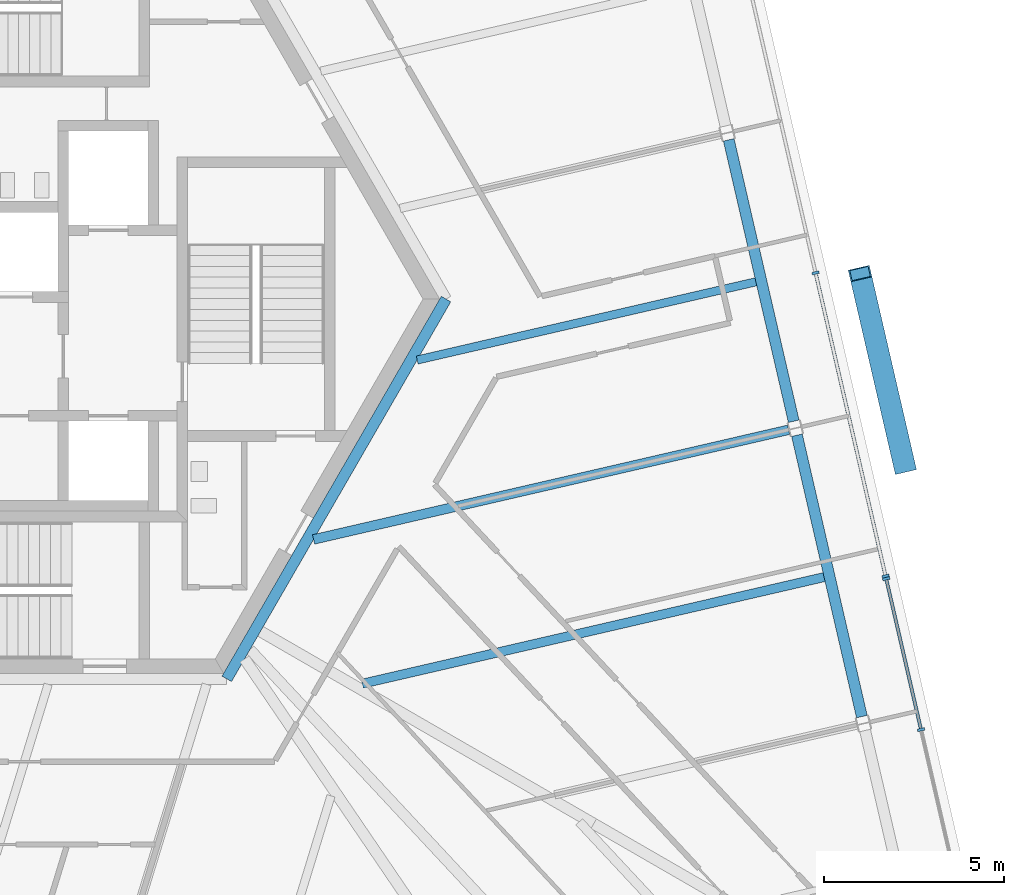
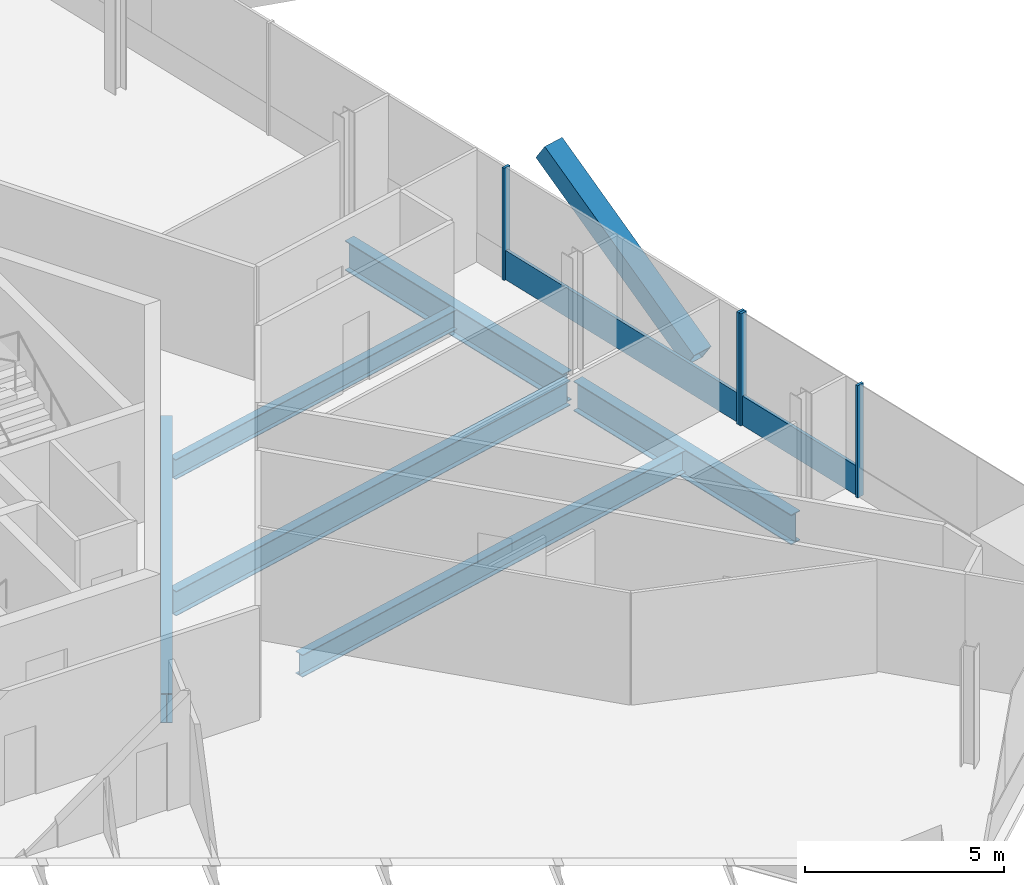
# One storey, part 6 of 19: 7 members, 6 beams, 2 elements without a shape of their own.
"""IFC4 building model written with IfcOpenShell, lengths in metres."""

from ifc_helpers import new_model, si_unit, direction, frame, origin, origin_2d, place, context, subcontext, project, spatial, rectangle, hollow_rectangle, i_section, extrude, source, transform, mapped, material, material_profile, profile_set, type_object, element, aggregate, save


model = new_model("IFC4")

# Units and contexts
model_context = context("Model", 3, precision=1e-05, world=origin(), true_north=direction((0.0, 1.0)))
body_context = subcontext(model_context, "Body", "Model", "MODEL_VIEW")
ifc_project = project(units=[si_unit("LENGTHUNIT", "METRE"), si_unit("AREAUNIT", "SQUARE_METRE"), si_unit("VOLUMEUNIT", "CUBIC_METRE"), si_unit("PLANEANGLEUNIT", "RADIAN"), si_unit("MASSUNIT", "GRAM", prefix="KILO")], contexts=[model_context])

# Site, building, storey
site_placement = place(None, origin())
site = spatial("IfcSite", under=ifc_project, at=site_placement, CompositionType="ELEMENT")
building_placement = place(site_placement, origin())
building = spatial("IfcBuilding", under=site, at=building_placement, Name="Triune Harvest Tower", CompositionType="ELEMENT")
storey_placement = place(building_placement, frame((0.0, 0.0, 109.10009765625)))
storey = spatial("IfcBuildingStorey", under=building, at=storey_placement, Name="L27", CompositionType="ELEMENT", Elevation=109.10009765625)

# Beams
ifc_material_1 = material(Name="Steel ASTM A992 Gr 50", Category="steel")
ifc_material_profile_1 = material_profile(ifc_material_1, i_section(OverallWidth=0.3046875, OverallDepth=0.914306640625, WebThickness=0.0166015625, FlangeThickness=0.02587890625, at=origin_2d()), Name="W36x160")
ifc_profile_set_1 = profile_set([ifc_material_profile_1], Name="Steel ASTM A992 Gr 50")
beam_type_1 = type_object("IfcBeamType", Name="CG-1 Core ring girder W36x160", PredefinedType="BEAM", material=ifc_profile_set_1)
shared_shape_1 = source(origin(), body_context, "Body", "SweptSolid", [
    extrude(i_section(OverallWidth=0.3046875, OverallDepth=0.914306640625, WebThickness=0.0166015625, FlangeThickness=0.02587890625, at=origin_2d()), origin(), (0.0, 0.0, 1.0), 12.176025390625),
])
beam_1_placement = place(storey_placement, frame((6.087890625, -10.544677734375, -0.6171875), z_axis=(0.5000099932, 0.866019634131, 0.0), x_axis=(-0.866019634131, 0.5000099932, 0.0)))
element("IfcBeam", 1, at=beam_1_placement, inside=storey, type_object=beam_type_1, Name="beam/L27/CG6", PredefinedType="BEAM", context=body_context, shape_type="MappedRepresentation", body=[
    mapped(shared_shape_1, transform((0.0, 0.0, 0.0), scale=1.0)),
])
ifc_material_2 = material(Name="Steel ASTM A992 Gr 50", Category="steel")
ifc_material_profile_2 = material_profile(ifc_material_2, i_section(OverallWidth=0.3046875, OverallDepth=0.914306640625, WebThickness=0.0166015625, FlangeThickness=0.02587890625, at=origin_2d()), Name="W36x160")
ifc_profile_set_2 = profile_set([ifc_material_profile_2], Name="Steel ASTM A992 Gr 50")
beam_type_2 = type_object("IfcBeamType", Name="SB-1 Spandrel beam W36x160", PredefinedType="SPANDREL", material=ifc_profile_set_2)
shared_shape_2 = source(origin(), body_context, "Body", "SweptSolid", [
    extrude(i_section(OverallWidth=0.3046875, OverallDepth=0.914306640625, WebThickness=0.0166015625, FlangeThickness=0.02587890625, at=origin_2d()), origin(), (0.0, 0.0, 1.0), 8.018310546875),
])
beam_2_placement = place(storey_placement, frame((23.72119140625, -11.591796875, -0.6171875), z_axis=(-0.224950679005, 0.974370151439, 0.0), x_axis=(-0.974370151439, -0.224950679005, 0.0)))
element("IfcBeam", 2, at=beam_2_placement, inside=storey, type_object=beam_type_2, Name="beam/L27/SB2", PredefinedType="SPANDREL", context=body_context, shape_type="MappedRepresentation", body=[
    mapped(shared_shape_2, transform((0.0, 0.0, 0.0), scale=1.0)),
])
shared_shape_3 = source(origin(), body_context, "Body", "SweptSolid", [
    extrude(i_section(OverallWidth=0.3046875, OverallDepth=0.914306640625, WebThickness=0.0166015625, FlangeThickness=0.02587890625, at=origin_2d()), origin(), (0.0, 0.0, 1.0), 8.0185546875),
])
beam_3_placement = place(storey_placement, frame((21.828369140625, -3.39306640625, -0.6171875), z_axis=(-0.22494400542, 0.974371692131, 0.0), x_axis=(-0.974371692131, -0.22494400542, 0.0)))
element("IfcBeam", 3, at=beam_3_placement, inside=storey, type_object=beam_type_2, Name="beam/L27/SB3", PredefinedType="SPANDREL", context=body_context, shape_type="MappedRepresentation", body=[
    mapped(shared_shape_3, transform((0.0, 0.0, 0.0), scale=1.0)),
])
ifc_material_3 = material(Name="Steel ASTM A992 Gr 50", Category="steel")
ifc_material_profile_3 = material_profile(ifc_material_3, i_section(OverallWidth=0.253662109375, OverallDepth=0.683349609375, WebThickness=0.012451171875, FlangeThickness=0.01904296875, at=origin_2d()), Name="W27x94")
ifc_profile_set_3 = profile_set([ifc_material_profile_3], Name="Steel ASTM A992 Gr 50")
beam_type_3 = type_object("IfcBeamType", Name="JT-4 Floor joist W27x94", PredefinedType="JOIST", material=ifc_profile_set_3)
shared_shape_4 = source(origin(), body_context, "Body", "SweptSolid", [
    extrude(i_section(OverallWidth=0.253662109375, OverallDepth=0.683349609375, WebThickness=0.012451171875, FlangeThickness=0.01904296875, at=origin_2d()), origin(), (0.0, 0.0, 1.0), 13.1572265625),
])
beam_4_placement = place(storey_placement, frame((22.6708984375, -7.7197265625, -0.501708984375), z_axis=(-0.974370551145, -0.224948947678, 0.0), x_axis=(0.224948947678, -0.974370551145, 0.0)))
element("IfcBeam", 4, at=beam_4_placement, inside=storey, type_object=beam_type_3, Name="beam/L27/JT3", PredefinedType="JOIST", context=body_context, shape_type="MappedRepresentation", body=[
    mapped(shared_shape_4, transform((0.0, 0.0, 0.0), scale=1.0)),
])
ifc_material_4 = material(Name="Steel ASTM A992 Gr 50", Category="steel")
ifc_material_profile_4 = material_profile(ifc_material_4, i_section(OverallWidth=0.2666015625, OverallDepth=0.7568359375, WebThickness=0.013916015625, FlangeThickness=0.019287109375, at=origin_2d()), Name="W30x108")
ifc_profile_set_4 = profile_set([ifc_material_profile_4], Name="Steel ASTM A992 Gr 50")
beam_type_4 = type_object("IfcBeamType", Name="JT-5 Floor joist W30x108", PredefinedType="JOIST", material=ifc_profile_set_4)
shared_shape_5 = source(origin(), body_context, "Body", "SweptSolid", [
    extrude(i_section(OverallWidth=0.2666015625, OverallDepth=0.7568359375, WebThickness=0.013916015625, FlangeThickness=0.019287109375, at=origin_2d()), origin(), (0.0, 0.0, 1.0), 13.535400390625),
])
beam_5_placement = place(storey_placement, frame((21.687255859375, -3.62890625, -0.53857421875), z_axis=(-0.974372040253, -0.224942497482, 0.0), x_axis=(0.224942497482, -0.974372040253, 0.0)))
element("IfcBeam", 5, at=beam_5_placement, inside=storey, type_object=beam_type_4, Name="beam/L27/JT4", PredefinedType="JOIST", context=body_context, shape_type="MappedRepresentation", body=[
    mapped(shared_shape_5, transform((0.0, 0.0, 0.0), scale=1.0)),
])
ifc_material_5 = material(Name="Steel ASTM A992 Gr 50", Category="steel")
ifc_material_profile_5 = material_profile(ifc_material_5, i_section(OverallWidth=0.22900390625, OverallDepth=0.612060546875, WebThickness=0.011962890625, FlangeThickness=0.01953125, at=origin_2d()), Name="W24x84")
ifc_profile_set_5 = profile_set([ifc_material_profile_5], Name="Steel ASTM A992 Gr 50")
beam_type_5 = type_object("IfcBeamType", Name="JT-3 Floor joist W24x84", PredefinedType="JOIST", material=ifc_profile_set_5)
shared_shape_6 = source(origin(), body_context, "Body", "SweptSolid", [
    extrude(i_section(OverallWidth=0.22900390625, OverallDepth=0.612060546875, WebThickness=0.011962890625, FlangeThickness=0.01953125, at=origin_2d()), origin(), (0.0, 0.0, 1.0), 9.650146484375),
])
beam_6_placement = place(storey_placement, frame((20.778076171875, 0.47900390625, -0.46630859375), z_axis=(-0.974373710713, -0.224935261514, 0.0), x_axis=(0.224935261514, -0.974373710713, 0.0)))
element("IfcBeam", 6, at=beam_6_placement, inside=storey, type_object=beam_type_5, Name="beam/L27/JT5", PredefinedType="JOIST", context=body_context, shape_type="MappedRepresentation", body=[
    mapped(shared_shape_6, transform((0.0, 0.0, 0.0), scale=1.0)),
])

# Member
ifc_material_6 = material(Name="Steel ASTM A572 Gr 50", Category="steel")
ifc_material_profile_6 = material_profile(ifc_material_6, hollow_rectangle(XDim=0.60009765625, YDim=0.60009765625, WallThickness=0.0400390625, at=origin_2d()), Name="Box 600x600x40")
ifc_profile_set_6 = profile_set([ifc_material_profile_6], Name="Steel ASTM A572 Gr 50")
member_type_1 = type_object("IfcMemberType", Name="BR-2 Brace Box 600x600x40", PredefinedType="BRACE", material=ifc_profile_set_6)
shared_shape_7 = source(origin(), body_context, "Body", "SweptSolid", [
    extrude(hollow_rectangle(XDim=0.60009765625, YDim=0.60009765625, WallThickness=0.0400390625, at=origin_2d()), origin(), (0.0, 0.0, 1.0), 6.56640625),
])
member_1_placement = place(storey_placement, frame((24.906982421875, -4.642333984375, 0.0), z_axis=(-0.188134834296, 0.814891534243, 0.548230856067), x_axis=(-0.974369462042, -0.224953665097, 0.0)))
element("IfcMember", 7, at=member_1_placement, inside=storey, type_object=member_type_1, Name="brace/B3-F1/d1/4", PredefinedType="BRACE", context=body_context, shape_type="MappedRepresentation", body=[
    mapped(shared_shape_7, transform((0.0, 0.0, 0.0), scale=1.0)),
])

# Curtain wall, members
ifc_material_7 = material(Name="Aluminium bronze anodised", Category="aluminium")
curtain_wall_type_1 = type_object("IfcCurtainWallType", Name="CW-1 Tower stick curtain wall", PredefinedType="NOTDEFINED", material=ifc_material_7)
curtain_wall_1_placement = place(storey_placement, origin())
curtain_wall_1 = element("IfcCurtainWall", 8, at=curtain_wall_1_placement, inside=storey, type_object=curtain_wall_type_1, Name="CW-1 B3-F1 L27 run 1")
ifc_material_8 = material(Name="Aluminium bronze anodised", Category="aluminium")
ifc_material_profile_7 = material_profile(ifc_material_8, rectangle(XDim=0.199951171875, YDim=0.074951171875, at=origin_2d()), Name="MU-1 mullion 75 x 200")
ifc_profile_set_7 = profile_set([ifc_material_profile_7], Name="Aluminium bronze anodised")
member_type_2 = type_object("IfcMemberType", Name="MU-1 mullion 75 x 200", PredefinedType="MULLION", material=ifc_profile_set_7)
shared_shape_8 = source(origin(), body_context, "Body", "SweptSolid", [
    extrude(rectangle(XDim=0.199951171875, YDim=0.074951171875, at=origin_2d()), origin(), (0.0, 0.0, 1.0), 3.43994140625),
])
member_2_placement = place(storey_placement, frame((25.363525390625, -11.954345703125, 0.0), z_axis=(0.0, 0.0, 1.0), x_axis=(-0.974370100513, -0.22495089959, 0.0)))
member_2 = element("IfcMember", 9, at=member_2_placement, type_object=member_type_2, Name="CW-1 mullion B3-F1 1.3", PredefinedType="MULLION", context=body_context, shape_type="MappedRepresentation", body=[
    mapped(shared_shape_8, transform((0.0, 0.0, 0.0), scale=1.0)),
])
member_3_placement = place(storey_placement, frame((24.39599609375, -7.763671875, 0.0), z_axis=(0.0, 0.0, 1.0), x_axis=(-0.974370100513, -0.22495089959, 0.0)))
member_3 = element("IfcMember", 10, at=member_3_placement, type_object=member_type_2, Name="CW-1 mullion B3-F1 1.4", PredefinedType="MULLION", context=body_context, shape_type="MappedRepresentation", body=[
    mapped(shared_shape_8, transform((0.0, 0.0, 0.0), scale=1.0)),
])

ifc_material_9 = material(Name="Aluminium bronze anodised", Category="aluminium")
curtain_wall_type_2 = type_object("IfcCurtainWallType", Name="CW-7 Tower stick curtain wall with insulated spandrel infill", PredefinedType="NOTDEFINED", material=ifc_material_9)
curtain_wall_2_placement = place(storey_placement, origin())
curtain_wall_2 = element("IfcCurtainWall", 11, at=curtain_wall_2_placement, inside=storey, type_object=curtain_wall_type_2, Name="CW-7 B3-F1 L27 run 1001")
member_4_placement = place(storey_placement, frame((24.379150390625, -7.690673828125, 0.0), z_axis=(0.0, 0.0, 1.0), x_axis=(-0.974369954013, -0.22495153415, 0.0)))
member_4 = element("IfcMember", 12, at=member_4_placement, type_object=member_type_2, Name="CW-7 mullion B3-F1 1001.1", PredefinedType="MULLION", context=body_context, shape_type="MappedRepresentation", body=[
    mapped(shared_shape_8, transform((0.0, 0.0, 0.0), scale=1.0)),
])
member_5_placement = place(storey_placement, frame((22.435546875, 0.727294921875, 0.0), z_axis=(0.0, 0.0, 1.0), x_axis=(-0.974369954013, -0.22495153415, 0.0)))
member_5 = element("IfcMember", 13, at=member_5_placement, type_object=member_type_2, Name="CW-7 mullion B3-F1 1001.3", PredefinedType="MULLION", context=body_context, shape_type="MappedRepresentation", body=[
    mapped(shared_shape_8, transform((0.0, 0.0, 0.0), scale=1.0)),
])
ifc_material_10 = material(Name="Aluminium bronze anodised", Category="aluminium")
ifc_material_profile_8 = material_profile(ifc_material_10, rectangle(XDim=0.090087890625, YDim=0.89990234375, at=origin_2d()), Name="TR-1 transom 90 x 900")
ifc_profile_set_8 = profile_set([ifc_material_profile_8], Name="Aluminium bronze anodised")
member_type_3 = type_object("IfcMemberType", Name="TR-1 transom 90 x 900", PredefinedType="USERDEFINED", material=ifc_profile_set_8)
shared_shape_9 = source(origin(), body_context, "Body", "SweptSolid", [
    extrude(rectangle(XDim=0.090087890625, YDim=0.89990234375, at=origin_2d()), origin(), (0.0, 0.0, 1.0), 8.564208984375),
])
member_6_placement = place(storey_placement, frame((24.37060546875, -7.654052734375, 0.449951171875), z_axis=(-0.224949030659, 0.974370531988, 0.0), x_axis=(-0.974370531988, -0.224949030659, 0.0)))
member_6 = element("IfcMember", 14, at=member_6_placement, type_object=member_type_3, Name="CW-7 transom B3-F1 1001.1", ObjectType="TRANSOM", PredefinedType="USERDEFINED", context=body_context, shape_type="MappedRepresentation", body=[
    mapped(shared_shape_9, transform((0.0, 0.0, 0.0), scale=1.0)),
])
aggregate(curtain_wall_2, [member_4, member_5, member_6])

# Member
shared_shape_10 = source(origin(), body_context, "Body", "SweptSolid", [
    extrude(rectangle(XDim=0.090087890625, YDim=0.89990234375, at=origin_2d()), origin(), (0.0, 0.0, 1.0), 4.225830078125),
])
member_7_placement = place(storey_placement, frame((25.35498046875, -11.917724609375, 0.449951171875), z_axis=(-0.224973431044, 0.974364898446, 0.0), x_axis=(-0.974364898446, -0.224973431044, 0.0)))
member_7 = element("IfcMember", 15, at=member_7_placement, type_object=member_type_3, Name="CW-1 transom B3-F1 1.2", ObjectType="TRANSOM", PredefinedType="USERDEFINED", context=body_context, shape_type="MappedRepresentation", body=[
    mapped(shared_shape_10, transform((0.0, 0.0, 0.0), scale=1.0)),
])

aggregate(curtain_wall_1, [member_2, member_3, member_7])

save(model, "model.ifc")
